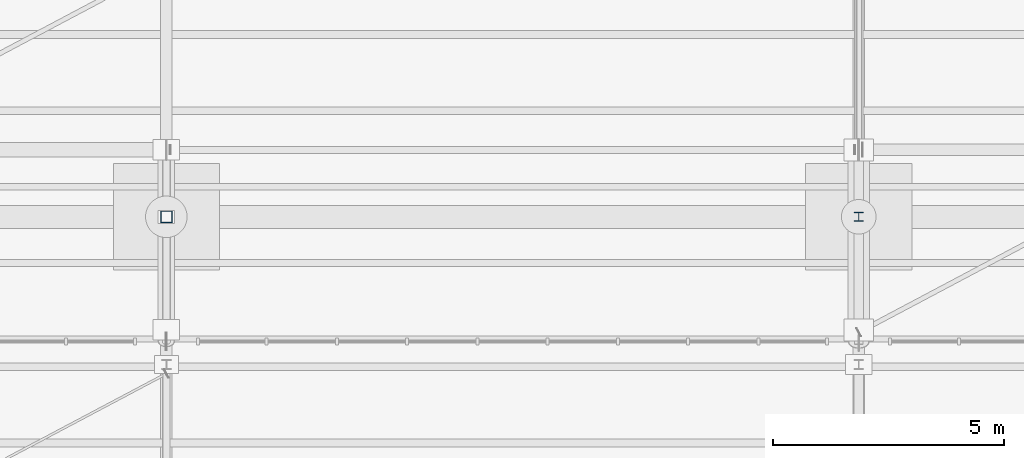
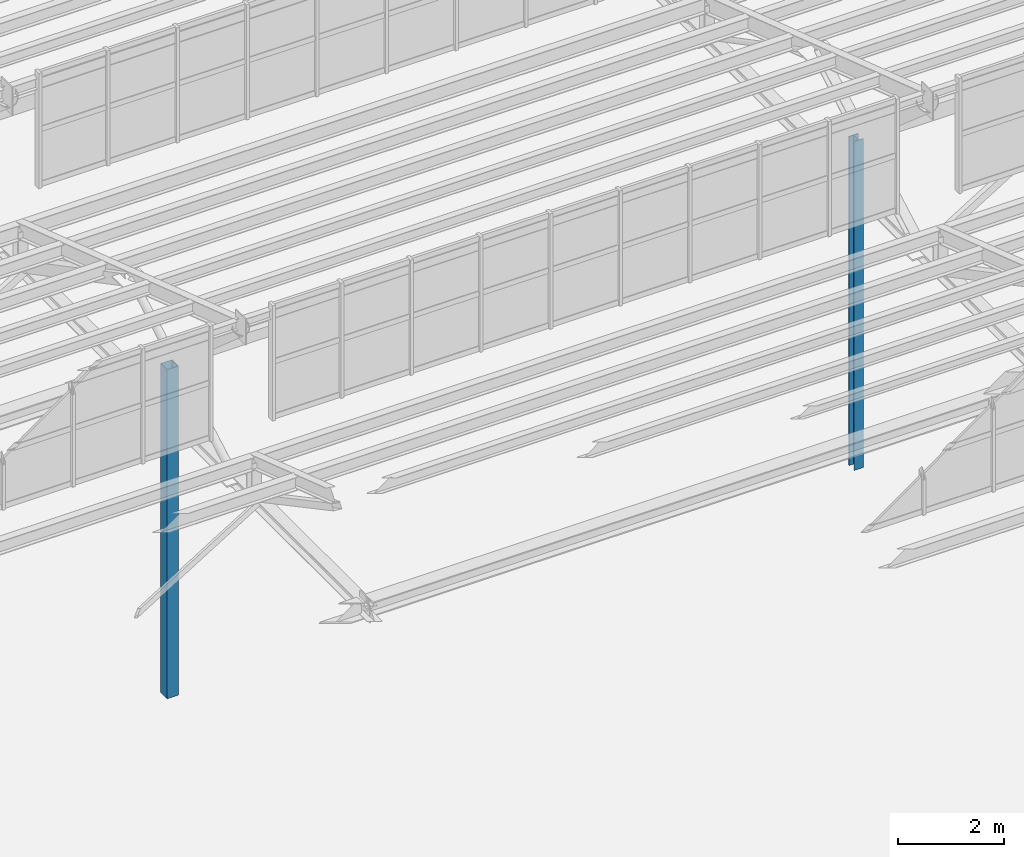
# One storey, part 19 of 285: 2 columns.
"""IFC4 building model written with IfcOpenShell, lengths in metres."""

from ifc_helpers import new_model, si_unit, direction, frame, origin, origin_2d, place, context, subcontext, project, spatial, hollow_rectangle, i_section, extrude, material, material_profile, profile_set, type_object, element, save


model = new_model("IFC4")

# Units and contexts
model_context = context("Model", 3, precision=1e-05, world=origin(), true_north=direction((0.0, 1.0)))
body_context = subcontext(model_context, "Body", "Model", "MODEL_VIEW")
ifc_project = project(units=[si_unit("LENGTHUNIT", "METRE"), si_unit("AREAUNIT", "SQUARE_METRE"), si_unit("VOLUMEUNIT", "CUBIC_METRE"), si_unit("PLANEANGLEUNIT", "RADIAN"), si_unit("MASSUNIT", "GRAM", prefix="KILO")], contexts=[model_context])

# Site, building, storey
site_placement = place(None, origin())
site = spatial("IfcSite", under=ifc_project, at=site_placement, CompositionType="ELEMENT")
building_placement = place(site_placement, origin())
building = spatial("IfcBuilding", under=site, at=building_placement, Name="Solanera Park Tramway Depot", CompositionType="ELEMENT")
storey_placement = place(building_placement, origin())
storey = spatial("IfcBuildingStorey", under=building, at=storey_placement, Name="L00", CompositionType="ELEMENT", Elevation=0.0)

# Columns
ifc_material_1 = material(Name="Steel AS/NZS 3679.1 Grade 350", Category="steel")
ifc_material_profile_1 = material_profile(ifc_material_1, i_section(OverallWidth=0.203369140625, OverallDepth=0.203369140625, WebThickness=0.00732421875, FlangeThickness=0.010986328125, at=origin_2d()), Name="200UC46.2")
ifc_profile_set_1 = profile_set([ifc_material_profile_1], Name="Steel AS/NZS 3679.1 Grade 350")
column_type_1 = type_object("IfcColumnType", Name="Steel Column Int 200UC46.2", PredefinedType="COLUMN", material=ifc_profile_set_1)
column_1_placement = place(storey_placement, frame((45.0, 85.0, 0.0), z_axis=(0.0, 0.0, 1.0), x_axis=(1.0, 0.0, 0.0)))
element("IfcColumn", 1, at=column_1_placement, inside=storey, type_object=column_type_1, Name="L00 Column V1-X450-Y850", PredefinedType="COLUMN", context=body_context, shape_type="SweptSolid", body=[
    extrude(i_section(OverallWidth=0.203369140625, OverallDepth=0.203369140625, WebThickness=0.00732421875, FlangeThickness=0.010986328125, at=origin_2d()), origin(), (0.0, 0.0, 1.0), 7.60009765625),
])
ifc_material_2 = material(Name="Steel AS/NZS 1163 Grade C350L0", Category="steel")
ifc_material_profile_2 = material_profile(ifc_material_2, hollow_rectangle(XDim=0.25, YDim=0.25, WallThickness=0.010009765625, at=origin_2d()), Name="250x250x10.0 SHS")
ifc_profile_set_2 = profile_set([ifc_material_profile_2], Name="Steel AS/NZS 1163 Grade C350L0")
column_type_2 = type_object("IfcColumnType", Name="Steel Column Int 250x250x10.0 SHS", PredefinedType="COLUMN", material=ifc_profile_set_2)
column_2_placement = place(storey_placement, frame((30.0, 85.0, 0.0), z_axis=(0.0, 0.0, 1.0), x_axis=(1.0, 0.0, 0.0)))
element("IfcColumn", 2, at=column_2_placement, inside=storey, type_object=column_type_2, Name="L00 Column V1-X300-Y850", PredefinedType="COLUMN", context=body_context, shape_type="SweptSolid", body=[
    extrude(hollow_rectangle(XDim=0.25, YDim=0.25, WallThickness=0.010009765625, at=origin_2d()), origin(), (0.0, 0.0, 1.0), 7.60009765625),
])

save(model, "model.ifc")
